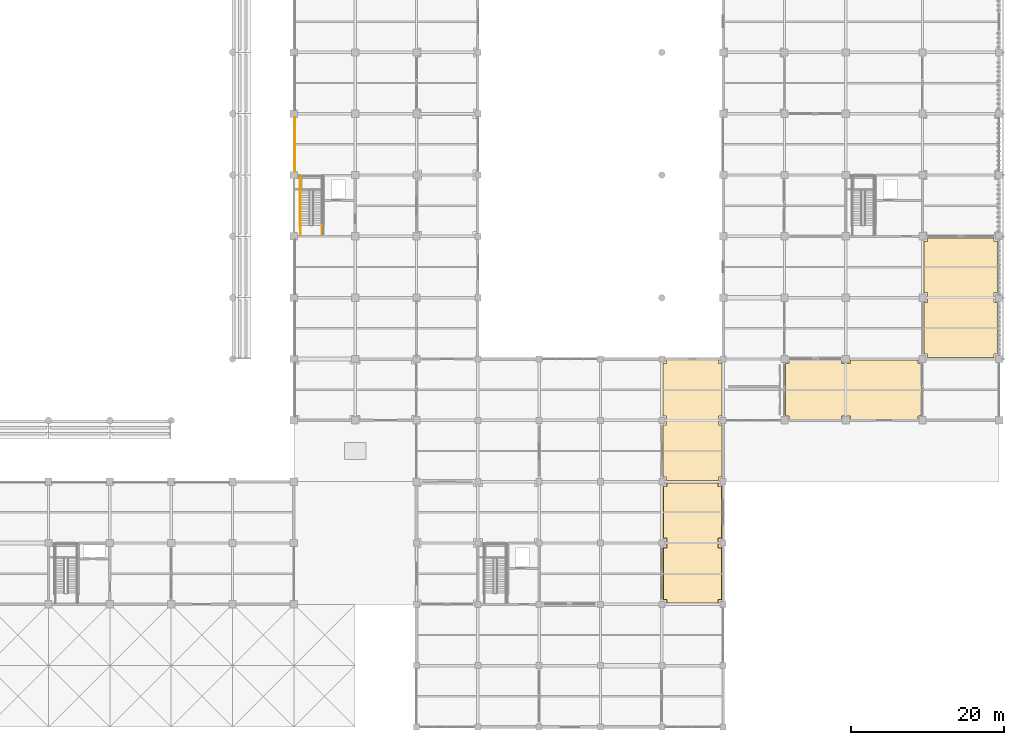
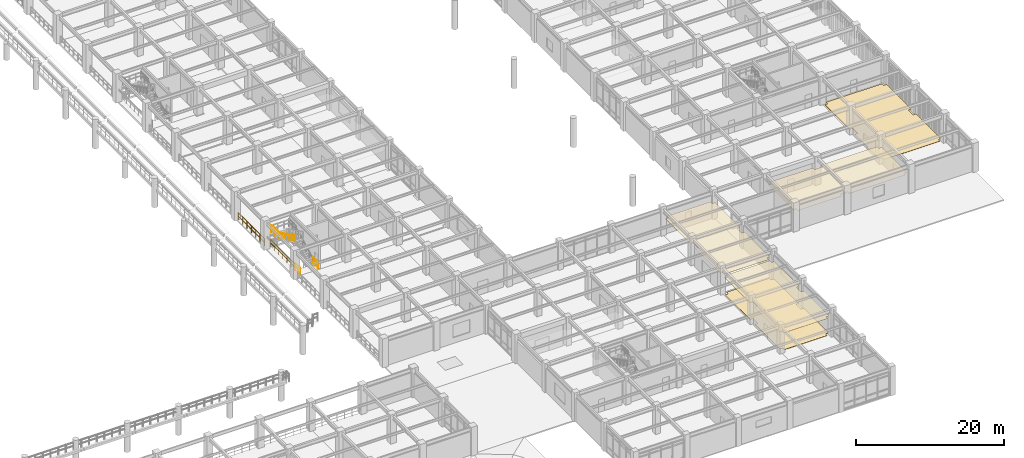
# One storey, part 101 of 109: 6 railings, 5 coverings.
"""IFC4 building model written with IfcOpenShell, lengths in metres."""

from ifc_helpers import new_model, si_unit, direction, frame, origin, origin_2d, place, context, subcontext, project, spatial, polyline, circle, outline, extrude, material, layer, layer_set, type_object, element, save


model = new_model("IFC4")

# Units and contexts
model_context = context("Model", 3, precision=1e-05, world=origin(), true_north=direction((0.0, 1.0)))
body_context = subcontext(model_context, "Body", "Model", "MODEL_VIEW")
ifc_project = project(units=[si_unit("LENGTHUNIT", "METRE"), si_unit("AREAUNIT", "SQUARE_METRE"), si_unit("VOLUMEUNIT", "CUBIC_METRE"), si_unit("PLANEANGLEUNIT", "RADIAN"), si_unit("MASSUNIT", "GRAM", prefix="KILO")], contexts=[model_context])

# Site, building, storey
site_placement = place(None, origin())
site = spatial("IfcSite", under=ifc_project, at=site_placement, CompositionType="ELEMENT")
building_placement = place(site_placement, origin())
building = spatial("IfcBuilding", under=site, at=building_placement, Name="Haebicheon Civic Stadium", CompositionType="ELEMENT")
storey_placement = place(building_placement, frame((0.0, 0.0, 9.60009765625)))
storey = spatial("IfcBuildingStorey", under=building, at=storey_placement, Name="L03", CompositionType="ELEMENT", Elevation=9.60009765625)

# Coverings
ifc_material_1 = material(Name="Perforated mineral-fibre acoustic board", Category="gypsum")
ifc_layer_1 = layer(ifc_material_1, 0.0400390625, Name="Perforated mineral-fibre acoustic board")
ifc_layer_set_1 = layer_set([ifc_layer_1], Name="Perforated mineral-fibre acoustic board")
covering_type_1 = type_object("IfcCoveringType", Name="COV-CLG-AC", PredefinedType="CEILING", material=ifc_layer_set_1)
covering_1_placement = place(storey_placement, frame((0.0, 0.0, 2.809814453125)))
element("IfcCovering", 1, at=covering_1_placement, inside=storey, type_object=covering_type_1, material=ifc_layer_set_1, Name="L03 Youth Sports Classroom acoustic ceiling", PredefinedType="CEILING", context=body_context, shape_type="SweptSolid", body=[
    extrude(outline(polyline([(208.14501953125, 47.405029296875), (208.594970703125, 47.405029296875), (208.594970703125, 47.85498046875), (215.405029296875, 47.85498046875), (215.405029296875, 47.405029296875), (216.594970703125, 47.405029296875), (216.594970703125, 47.85498046875), (225.405029296875, 47.85498046875), (225.405029296875, 47.405029296875), (225.85498046875, 47.405029296875), (225.85498046875, 40.594970703125), (225.405029296875, 40.594970703125), (225.405029296875, 40.14501953125), (216.594970703125, 40.14501953125), (216.594970703125, 40.594970703125), (215.405029296875, 40.594970703125), (215.405029296875, 40.14501953125), (208.594970703125, 40.14501953125), (208.594970703125, 40.594970703125), (208.14501953125, 40.594970703125), (208.14501953125, 47.405029296875)])), origin(), (0.0, 0.0, 1.0), 0.0400390625),
])
covering_2_placement = place(storey_placement, frame((0.0, 0.0, 2.809814453125)))
element("IfcCovering", 2, at=covering_2_placement, inside=storey, type_object=covering_type_1, material=ifc_layer_set_1, Name="L03 Supporters' Club Lounge acoustic ceiling", PredefinedType="CEILING", context=body_context, shape_type="SweptSolid", body=[
    extrude(outline(polyline([(192.594970703125, 16.14501953125), (192.594970703125, 16.594970703125), (192.14501953125, 16.594970703125), (192.14501953125, 23.405029296875), (192.594970703125, 23.405029296875), (192.594970703125, 24.594970703125), (192.14501953125, 24.594970703125), (192.14501953125, 31.405029296875), (192.594970703125, 31.405029296875), (192.594970703125, 31.85498046875), (199.405029296875, 31.85498046875), (199.405029296875, 31.405029296875), (199.85498046875, 31.405029296875), (199.85498046875, 24.594970703125), (199.405029296875, 24.594970703125), (199.405029296875, 23.405029296875), (199.85498046875, 23.405029296875), (199.85498046875, 16.594970703125), (199.405029296875, 16.594970703125), (199.405029296875, 16.14501953125), (192.594970703125, 16.14501953125)])), origin(), (0.0, 0.0, 1.0), 0.0400390625),
])
covering_3_placement = place(storey_placement, frame((0.0, 0.0, 2.809814453125)))
element("IfcCovering", 3, at=covering_3_placement, inside=storey, type_object=covering_type_1, material=ifc_layer_set_1, Name="L03 Civic Banquet Hall acoustic ceiling", PredefinedType="CEILING", context=body_context, shape_type="SweptSolid", body=[
    extrude(outline(polyline([(192.594970703125, 32.14501953125), (192.594970703125, 32.594970703125), (192.14501953125, 32.594970703125), (192.14501953125, 39.405029296875), (192.594970703125, 39.405029296875), (192.594970703125, 40.594970703125), (192.14501953125, 40.594970703125), (192.14501953125, 47.405029296875), (192.594970703125, 47.405029296875), (192.594970703125, 47.85498046875), (199.405029296875, 47.85498046875), (199.405029296875, 47.405029296875), (199.85498046875, 47.405029296875), (199.85498046875, 40.594970703125), (199.405029296875, 40.594970703125), (199.405029296875, 39.405029296875), (199.85498046875, 39.405029296875), (199.85498046875, 32.594970703125), (199.405029296875, 32.594970703125), (199.405029296875, 32.14501953125), (192.594970703125, 32.14501953125)])), origin(), (0.0, 0.0, 1.0), 0.0400390625),
])
ifc_material_2 = material(Name="Quartz epoxy resin mortar", Category="concrete")
ifc_layer_2 = layer(ifc_material_2, 0.030029296875, Name="Quartz epoxy resin mortar")
ifc_layer_set_2 = layer_set([ifc_layer_2], Name="Quartz epoxy resin mortar")
covering_type_2 = type_object("IfcCoveringType", Name="COV-FLR-EPX", PredefinedType="FLOORING", material=ifc_layer_set_2)
covering_4_placement = place(storey_placement, origin())
element("IfcCovering", 4, at=covering_4_placement, inside=storey, type_object=covering_type_2, material=ifc_layer_set_2, Name="L03 Sports Medicine Rehabilitation Clinic non-slip floor finish", PredefinedType="FLOORING", context=body_context, shape_type="SweptSolid", body=[
    extrude(outline(polyline([(226.64990234375, 48.199951171875), (226.64990234375, 48.64990234375), (226.199951171875, 48.64990234375), (226.199951171875, 55.35009765625), (226.64990234375, 55.35009765625), (226.64990234375, 56.64990234375), (226.199951171875, 56.64990234375), (226.199951171875, 63.35009765625), (226.64990234375, 63.35009765625), (226.64990234375, 63.800048828125), (235.35009765625, 63.800048828125), (235.35009765625, 63.35009765625), (235.800048828125, 63.35009765625), (235.800048828125, 56.64990234375), (235.35009765625, 56.64990234375), (235.35009765625, 55.35009765625), (235.800048828125, 55.35009765625), (235.800048828125, 48.64990234375), (235.35009765625, 48.64990234375), (235.35009765625, 48.199951171875), (226.64990234375, 48.199951171875)])), origin(), (0.0, 0.0, 1.0), 0.02978515625),
])
covering_5_placement = place(storey_placement, origin())
element("IfcCovering", 5, at=covering_5_placement, inside=storey, type_object=covering_type_2, material=ifc_layer_set_2, Name="L03 Supporters' Club Lounge non-slip floor finish", PredefinedType="FLOORING", context=body_context, shape_type="SweptSolid", body=[
    extrude(outline(polyline([(192.64990234375, 16.199951171875), (192.64990234375, 16.64990234375), (192.199951171875, 16.64990234375), (192.199951171875, 23.35009765625), (192.64990234375, 23.35009765625), (192.64990234375, 24.64990234375), (192.199951171875, 24.64990234375), (192.199951171875, 31.35009765625), (192.64990234375, 31.35009765625), (192.64990234375, 31.800048828125), (199.35009765625, 31.800048828125), (199.35009765625, 31.35009765625), (199.800048828125, 31.35009765625), (199.800048828125, 24.64990234375), (199.35009765625, 24.64990234375), (199.35009765625, 23.35009765625), (199.800048828125, 23.35009765625), (199.800048828125, 16.64990234375), (199.35009765625, 16.64990234375), (199.35009765625, 16.199951171875), (192.64990234375, 16.199951171875)])), origin(), (0.0, 0.0, 1.0), 0.02978515625),
])

# Railings
ifc_material_3 = material(Name="Stainless steel 316 and laminated glass", Category="steel")
railing_type_1 = type_object("IfcRailingType", Name="RL-BAL-1200", PredefinedType="BALUSTRADE", material=ifc_material_3)
railing_1_placement = place(storey_placement, frame((144.139892578125, 72.47509765625, 0.0)))
element("IfcRailing", 6, at=railing_1_placement, inside=storey, type_object=railing_type_1, material=ifc_material_3, Name="L03 concourse bowl-edge balustrade 074", PredefinedType="BALUSTRADE", context=body_context, shape_type="SweptSolid", body=[
    extrude(circle(Radius=0.02392578125, at=origin_2d()), frame((0.0, 0.0, 1.17578125), z_axis=(0.0, 1.0, 0.0), x_axis=(-1.0, 0.0, 0.0)), (0.0, 0.0, 1.0), 7.0498046875),
    extrude(circle(Radius=0.02392578125, at=origin_2d()), frame((0.0, 0.0, 0.60009765625), z_axis=(0.0, 1.0, 0.0), x_axis=(-1.0, 0.0, 0.0)), (0.0, 0.0, 1.0), 7.0498046875),
    extrude(circle(Radius=0.02099609375, at=origin_2d()), origin(), (0.0, 0.0, 1.0), 1.15185546875),
    extrude(circle(Radius=0.02099609375, at=origin_2d()), frame((0.0, 1.175048828125, 0.0)), (0.0, 0.0, 1.0), 1.15185546875),
    extrude(circle(Radius=0.02099609375, at=origin_2d()), frame((0.0, 2.349853515625, 0.0)), (0.0, 0.0, 1.0), 1.15185546875),
    extrude(circle(Radius=0.02099609375, at=origin_2d()), frame((0.0, 3.52490234375, 0.0)), (0.0, 0.0, 1.0), 1.15185546875),
    extrude(circle(Radius=0.02099609375, at=origin_2d()), frame((0.0, 4.699951171875, 0.0)), (0.0, 0.0, 1.0), 1.15185546875),
    extrude(circle(Radius=0.02099609375, at=origin_2d()), frame((0.0, 5.874755859375, 0.0)), (0.0, 0.0, 1.0), 1.15185546875),
    extrude(circle(Radius=0.02099609375, at=origin_2d()), frame((0.0, 7.0498046875, 0.0)), (0.0, 0.0, 1.0), 1.15185546875),
])
ifc_material_4 = material(Name="Galvanised painted steel SM355", Category="steel")
railing_type_2 = type_object("IfcRailingType", Name="RL-GRD-1150", PredefinedType="GUARDRAIL", material=ifc_material_4)
railing_2_placement = place(storey_placement, frame((144.889892578125, 69.949951171875, 2.39990234375)))
element("IfcRailing", 7, at=railing_2_placement, inside=storey, type_object=railing_type_2, material=ifc_material_4, Name="L03 ST-10 stair guard 4", PredefinedType="GUARDRAIL", context=body_context, shape_type="SweptSolid", body=[
    extrude(circle(Radius=0.02392578125, at=origin_2d()), frame((0.0, 0.0, 1.1259765625), z_axis=(0.0, 1.0, 0.0), x_axis=(-1.0, 0.0, 0.0)), (0.0, 0.0, 1.0), 1.89013671875),
    extrude(circle(Radius=0.02392578125, at=origin_2d()), frame((0.0, 0.0, 0.574951171875), z_axis=(0.0, 1.0, 0.0), x_axis=(-1.0, 0.0, 0.0)), (0.0, 0.0, 1.0), 1.89013671875),
    extrude(circle(Radius=0.02099609375, at=origin_2d()), origin(), (0.0, 0.0, 1.0), 1.101806640625),
    extrude(circle(Radius=0.02099609375, at=origin_2d()), frame((0.0, 0.945068359375, 0.0)), (0.0, 0.0, 1.0), 1.101806640625),
    extrude(circle(Radius=0.02099609375, at=origin_2d()), frame((0.0, 1.89013671875, 0.0)), (0.0, 0.0, 1.0), 1.101806640625),
])
for number, where, name in (
    (8, (147.68994140625, 64.159912109375, 0.0), "L03 ST-10 stair guard 8"),
    (9, (144.889892578125, 64.159912109375, 0.0), "L03 ST-10 stair guard 9"),
):
    element("IfcRailing", number, at=place(storey_placement, frame(where)), inside=storey, type_object=railing_type_2, material=ifc_material_4, Name=name, PredefinedType="GUARDRAIL", context=body_context, shape_type="SweptSolid", body=[
        extrude(circle(Radius=0.02392578125, at=origin_2d()), frame((0.0, 0.0, 1.1259765625), z_axis=(0.0, 1.0, 0.0), x_axis=(-1.0, 0.0, 0.0)), (0.0, 0.0, 1.0), 1.2900390625),
        extrude(circle(Radius=0.02392578125, at=origin_2d()), frame((0.0, 0.0, 0.574951171875), z_axis=(0.0, 1.0, 0.0), x_axis=(-1.0, 0.0, 0.0)), (0.0, 0.0, 1.0), 1.2900390625),
        extrude(circle(Radius=0.02099609375, at=origin_2d()), origin(), (0.0, 0.0, 1.0), 1.101806640625),
        extrude(circle(Radius=0.02099609375, at=origin_2d()), frame((0.0, 0.64501953125, 0.0)), (0.0, 0.0, 1.0), 1.101806640625),
        extrude(circle(Radius=0.02099609375, at=origin_2d()), frame((0.0, 1.2900390625, 0.0)), (0.0, 0.0, 1.0), 1.101806640625),
    ])
railing_3_placement = place(storey_placement, frame((144.7900390625, 65.35009765625, 0.0)))
element("IfcRailing", 10, at=railing_3_placement, inside=storey, type_object=railing_type_2, material=ifc_material_4, Name="L03 ST-10 stair guard 11", PredefinedType="GUARDRAIL", context=body_context, shape_type="SweptSolid", body=[
    extrude(circle(Radius=0.02392578125, at=origin_2d()), frame((0.0, 0.0, 1.1259765625), z_axis=(0.0, 1.0, 0.0), x_axis=(-1.0, 0.0, 0.0)), (0.0, 0.0, 1.0), 6.58984375),
    extrude(circle(Radius=0.02392578125, at=origin_2d()), frame((0.0, 0.0, 0.574951171875), z_axis=(0.0, 1.0, 0.0), x_axis=(-1.0, 0.0, 0.0)), (0.0, 0.0, 1.0), 6.58984375),
    extrude(circle(Radius=0.02099609375, at=origin_2d()), origin(), (0.0, 0.0, 1.0), 1.101806640625),
    extrude(circle(Radius=0.02099609375, at=origin_2d()), frame((0.0, 1.098388671875, 0.0)), (0.0, 0.0, 1.0), 1.101806640625),
    extrude(circle(Radius=0.02099609375, at=origin_2d()), frame((0.0, 2.196533203125, 0.0)), (0.0, 0.0, 1.0), 1.101806640625),
    extrude(circle(Radius=0.02099609375, at=origin_2d()), frame((0.0, 3.294921875, 0.0)), (0.0, 0.0, 1.0), 1.101806640625),
    extrude(circle(Radius=0.02099609375, at=origin_2d()), frame((0.0, 4.393310546875, 0.0)), (0.0, 0.0, 1.0), 1.101806640625),
    extrude(circle(Radius=0.02099609375, at=origin_2d()), frame((0.0, 5.491455078125, 0.0)), (0.0, 0.0, 1.0), 1.101806640625),
    extrude(circle(Radius=0.02099609375, at=origin_2d()), frame((0.0, 6.58984375, 0.0)), (0.0, 0.0, 1.0), 1.101806640625),
])
ifc_material_5 = material(Name="Stainless steel 316", Category="steel")
railing_type_3 = type_object("IfcRailingType", Name="RL-HND-900", PredefinedType="HANDRAIL", material=ifc_material_5)
railing_4_placement = place(storey_placement, frame((144.889892578125, 69.949951171875, 2.5498046875)))
element("IfcRailing", 11, at=railing_4_placement, inside=storey, type_object=railing_type_3, material=ifc_material_5, Name="L03 ST-10 stair handrail 2", PredefinedType="HANDRAIL", context=body_context, shape_type="SweptSolid", body=[
    extrude(circle(Radius=0.02392578125, at=origin_2d()), frame((0.0, 0.0, 0.8759765625), z_axis=(0.0, -0.894427191, 0.4472135955), x_axis=(1.0, 0.0, 0.0)), (0.0, 0.0, 1.0), 5.03125),
    extrude(circle(Radius=0.02099609375, at=origin_2d()), origin(), (0.0, 0.0, 1.0), 0.851806640625),
    extrude(circle(Radius=0.02099609375, at=origin_2d()), frame((0.0, -0.89990234375, 0.449951171875)), (0.0, 0.0, 1.0), 0.851806640625),
    extrude(circle(Radius=0.02099609375, at=origin_2d()), frame((0.0, -1.800048828125, 0.89990234375)), (0.0, 0.0, 1.0), 0.851806640625),
    extrude(circle(Radius=0.02099609375, at=origin_2d()), frame((0.0, -2.699951171875, 1.35009765625)), (0.0, 0.0, 1.0), 0.851806640625),
    extrude(circle(Radius=0.02099609375, at=origin_2d()), frame((0.0, -3.60009765625, 1.800048828125)), (0.0, 0.0, 1.0), 0.851806640625),
    extrude(circle(Radius=0.02099609375, at=origin_2d()), frame((0.0, -4.5, 2.25)), (0.0, 0.0, 1.0), 0.851806640625),
])

save(model, "model.ifc")
